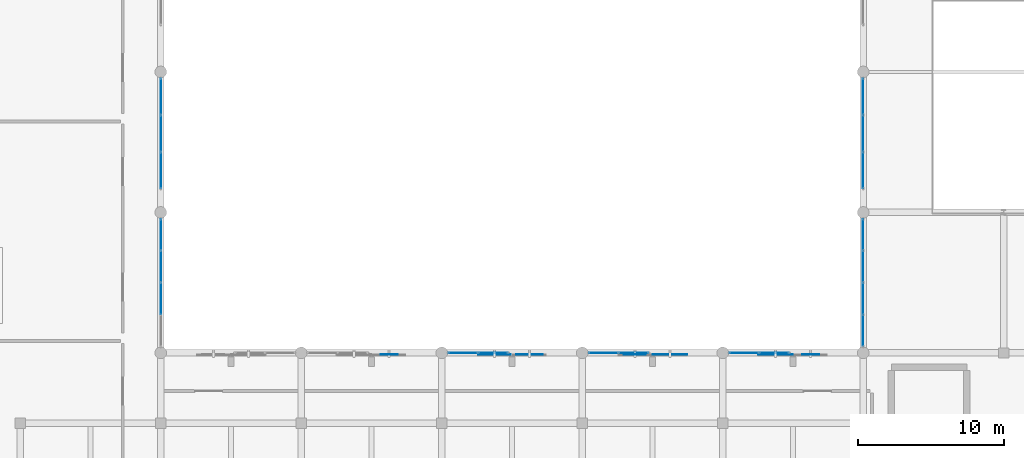
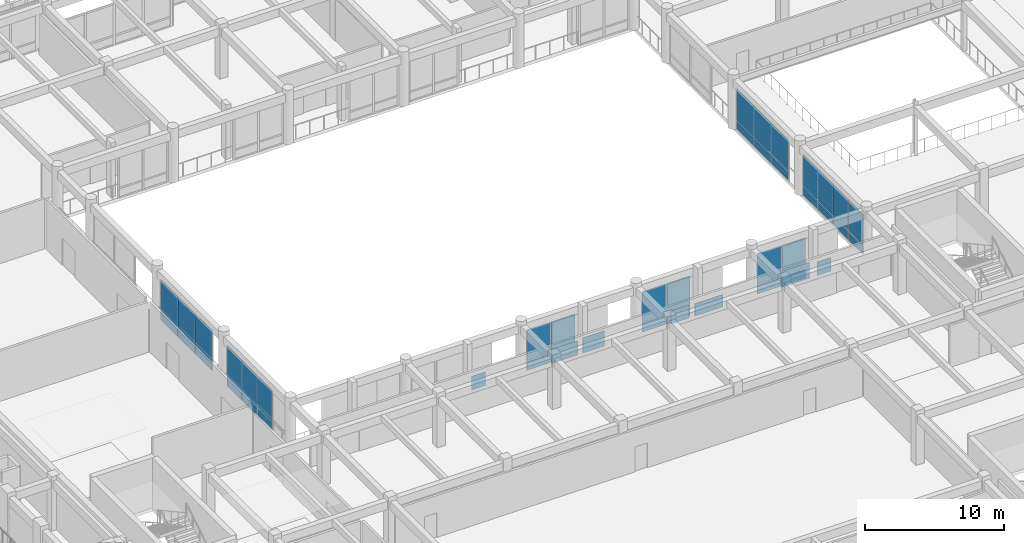
# One storey, part 90 of 133: 45 plates, 7 elements without a shape of their own.
"""IFC4 building model written with IfcOpenShell, lengths in metres."""

from ifc_helpers import new_model, si_unit, direction, frame, origin, origin_2d, place, context, subcontext, project, spatial, rectangle, extrude, material, layer, layer_set, type_object, element, aggregate, save


model = new_model("IFC4")

# Units and contexts
model_context = context("Model", 3, precision=1e-05, world=origin(), true_north=direction((0.0, 1.0)))
body_context = subcontext(model_context, "Body", "Model", "MODEL_VIEW")
ifc_project = project(units=[si_unit("LENGTHUNIT", "METRE"), si_unit("AREAUNIT", "SQUARE_METRE"), si_unit("VOLUMEUNIT", "CUBIC_METRE"), si_unit("PLANEANGLEUNIT", "RADIAN"), si_unit("MASSUNIT", "GRAM", prefix="KILO")], contexts=[model_context])

# Site, building, storey
site_placement = place(None, origin())
site = spatial("IfcSite", under=ifc_project, at=site_placement, CompositionType="ELEMENT")
building_placement = place(site_placement, origin())
building = spatial("IfcBuilding", under=site, at=building_placement, Name="Nakhvara Creek Congress Hotel", CompositionType="ELEMENT")
storey_placement = place(building_placement, frame((0.0, 0.0, 11.39990234375)))
storey = spatial("IfcBuildingStorey", under=building, at=storey_placement, Name="L02", CompositionType="ELEMENT", Elevation=11.39990234375)

# Plates
ifc_material_1 = material(Name="Perforated champagne-bronze anodised aluminium sheet", Category="aluminium")
plate_type_1 = type_object("IfcPlateType", Name="PLT-MSH-120X120", PredefinedType="SHEET", material=ifc_material_1)
for number, where, z_axis, x_axis, name in (
    (1, (92.39990234375, 43.10009765625, 0.02001953125), (0.0, 0.0, 1.0), (1.0, 0.0, 0.0), "Mashrabiya Spandrel Plate 014"),
    (2, (121.199951171875, 43.10009765625, 0.02001953125), (0.0, 0.0, 1.0), (1.0, 0.0, 0.0), "Mashrabiya Spandrel Plate 020"),
):
    element("IfcPlate", number, at=place(storey_placement, frame(where, z_axis=z_axis, x_axis=x_axis)), inside=storey, type_object=plate_type_1, Name=name, PredefinedType="SHEET", context=body_context, shape_type="SweptSolid", body=[
        extrude(rectangle(XDim=1.159912109375, YDim=0.033935546875, at=origin_2d()), origin(), (0.0, 0.0, 1.0), 1.199951171875),
    ])
plate_type_2 = type_object("IfcPlateType", Name="PLT-MSH-150X115", PredefinedType="SHEET", material=ifc_material_1)
plate_1_placement = place(storey_placement, frame((109.199951171875, 43.10009765625, 0.020263671875), z_axis=(0.0, 0.0, 1.0), x_axis=(1.0, 0.0, 0.0)))
element("IfcPlate", 3, at=plate_1_placement, inside=storey, type_object=plate_type_2, Name="Mashrabiya Spandrel Plate 017", PredefinedType="SHEET", context=body_context, shape_type="SweptSolid", body=[
    extrude(rectangle(XDim=1.5, YDim=0.033935546875, at=origin_2d()), origin(), (0.0, 0.0, 1.0), 1.14990234375),
])
plate_type_3 = type_object("IfcPlateType", Name="PLT-MSH-180X135", PredefinedType="SHEET", material=ifc_material_1)
plate_2_placement = place(storey_placement, frame((102.0, 43.10009765625, 0.02001953125), z_axis=(0.0, 0.0, 1.0), x_axis=(1.0, 0.0, 0.0)))
element("IfcPlate", 4, at=plate_2_placement, inside=storey, type_object=plate_type_3, Name="Mashrabiya Spandrel Plate 016", PredefinedType="SHEET", context=body_context, shape_type="SweptSolid", body=[
    extrude(rectangle(XDim=1.800048828125, YDim=0.035888671875, at=origin_2d()), origin(), (0.0, 0.0, 1.0), 1.35009765625),
])
plate_type_4 = type_object("IfcPlateType", Name="PLT-MSH-220X125", PredefinedType="SHEET", material=ifc_material_1)
plate_3_placement = place(storey_placement, frame((99.60009765625, 43.10009765625, 0.02001953125), z_axis=(0.0, 0.0, 1.0), x_axis=(1.0, 0.0, 0.0)))
element("IfcPlate", 5, at=plate_3_placement, inside=storey, type_object=plate_type_4, Name="Mashrabiya Spandrel Plate 015", PredefinedType="SHEET", context=body_context, shape_type="SweptSolid", body=[
    extrude(rectangle(XDim=2.199951171875, YDim=0.035888671875, at=origin_2d()), origin(), (0.0, 0.0, 1.0), 1.25),
])
plate_type_5 = type_object("IfcPlateType", Name="PLT-MSH-240X110", PredefinedType="SHEET", material=ifc_material_1)
plate_4_placement = place(storey_placement, frame((111.60009765625, 43.10009765625, 0.02001953125), z_axis=(0.0, 0.0, 1.0), x_axis=(1.0, 0.0, 0.0)))
element("IfcPlate", 6, at=plate_4_placement, inside=storey, type_object=plate_type_5, Name="Mashrabiya Spandrel Plate 018", PredefinedType="SHEET", context=body_context, shape_type="SweptSolid", body=[
    extrude(rectangle(XDim=2.360107421875, YDim=0.035888671875, at=origin_2d()), origin(), (0.0, 0.0, 1.0), 1.10009765625),
])
plate_type_6 = type_object("IfcPlateType", Name="PLT-MSH-240X140", PredefinedType="SHEET", material=ifc_material_1)
plate_5_placement = place(storey_placement, frame((118.800048828125, 43.10009765625, 0.020263671875), z_axis=(0.0, 0.0, 1.0), x_axis=(1.0, 0.0, 0.0)))
element("IfcPlate", 7, at=plate_5_placement, inside=storey, type_object=plate_type_6, Name="Mashrabiya Spandrel Plate 019", PredefinedType="SHEET", context=body_context, shape_type="SweptSolid", body=[
    extrude(rectangle(XDim=2.360107421875, YDim=0.0380859375, at=origin_2d()), origin(), (0.0, 0.0, 1.0), 1.39990234375),
])

# Curtain wall, plates
ifc_material_2 = material(Name="Bronze-anodised aluminium AW-6063-T6 and double-silver low-E glass", Category="aluminium")
ifc_layer = layer(ifc_material_2, 0.199951171875)
ifc_layer_set = layer_set([ifc_layer], Name="Bronze-anodised aluminium AW-6063-T6 and double-silver low-E glass")
curtain_wall_type = type_object("IfcCurtainWallType", Name="CW-POD-STICK", PredefinedType="NOTDEFINED", material=ifc_layer_set)
curtain_wall_1_placement = place(storey_placement, origin())
curtain_wall_1 = element("IfcCurtainWall", 8, at=curtain_wall_1_placement, inside=storey, type_object=curtain_wall_type, Name="Curtain Wall CW037", PredefinedType="NOTDEFINED")
ifc_material_3 = material(Name="Double-silver solar-control low-E insulated glass", Category="glass")
plate_type_7 = type_object("IfcPlateType", Name="PNL-GLZ-240X260", PredefinedType="CURTAIN_PANEL", material=ifc_material_3)
plate_6_placement = place(storey_placement, frame((97.467529296875, 43.199951171875, 0.065185546875), z_axis=(0.0, 0.0, 1.0), x_axis=(1.0, 0.0, 0.0)))
plate_6 = element("IfcPlate", 9, at=plate_6_placement, type_object=plate_type_7, Name="CW037 panel 1.1", PredefinedType="CURTAIN_PANEL", context=body_context, shape_type="SweptSolid", body=[
    extrude(rectangle(XDim=1.97509765625, YDim=0.030029296875, at=origin_2d()), origin(), (0.0, 0.0, 1.0), 0.75244140625),
])
plate_7_placement = place(storey_placement, frame((97.467529296875, 43.199951171875, 0.8828125), z_axis=(0.0, 0.0, 1.0), x_axis=(1.0, 0.0, 0.0)))
plate_7 = element("IfcPlate", 10, at=plate_7_placement, type_object=plate_type_7, Name="CW037 panel 1.2", PredefinedType="CURTAIN_PANEL", context=body_context, shape_type="SweptSolid", body=[
    extrude(rectangle(XDim=1.97509765625, YDim=0.030029296875, at=origin_2d()), origin(), (0.0, 0.0, 1.0), 2.744384765625),
])
plate_8_placement = place(storey_placement, frame((99.507568359375, 43.199951171875, 0.065185546875), z_axis=(0.0, 0.0, 1.0), x_axis=(1.0, 0.0, 0.0)))
plate_8 = element("IfcPlate", 11, at=plate_8_placement, type_object=plate_type_7, Name="CW037 panel 2.1", PredefinedType="CURTAIN_PANEL", context=body_context, shape_type="SweptSolid", body=[
    extrude(rectangle(XDim=1.97509765625, YDim=0.030029296875, at=origin_2d()), origin(), (0.0, 0.0, 1.0), 0.75244140625),
])
plate_9_placement = place(storey_placement, frame((99.507568359375, 43.199951171875, 0.8828125), z_axis=(0.0, 0.0, 1.0), x_axis=(1.0, 0.0, 0.0)))
plate_9 = element("IfcPlate", 12, at=plate_9_placement, type_object=plate_type_7, Name="CW037 panel 2.2", PredefinedType="CURTAIN_PANEL", context=body_context, shape_type="SweptSolid", body=[
    extrude(rectangle(XDim=1.97509765625, YDim=0.030029296875, at=origin_2d()), origin(), (0.0, 0.0, 1.0), 2.744384765625),
])
aggregate(curtain_wall_1, [plate_6, plate_7, plate_8, plate_9])

curtain_wall_2_placement = place(storey_placement, origin())
curtain_wall_2 = element("IfcCurtainWall", 13, at=curtain_wall_2_placement, inside=storey, type_object=curtain_wall_type, Name="Curtain Wall CW039", PredefinedType="NOTDEFINED")
plate_10_placement = place(storey_placement, frame((107.0673828125, 43.199951171875, 0.065185546875), z_axis=(0.0, 0.0, 1.0), x_axis=(1.0, 0.0, 0.0)))
plate_10 = element("IfcPlate", 14, at=plate_10_placement, type_object=plate_type_7, Name="CW039 panel 1.1", PredefinedType="CURTAIN_PANEL", context=body_context, shape_type="SweptSolid", body=[
    extrude(rectangle(XDim=1.97509765625, YDim=0.030029296875, at=origin_2d()), origin(), (0.0, 0.0, 1.0), 0.75244140625),
])
plate_11_placement = place(storey_placement, frame((107.0673828125, 43.199951171875, 0.8828125), z_axis=(0.0, 0.0, 1.0), x_axis=(1.0, 0.0, 0.0)))
plate_11 = element("IfcPlate", 15, at=plate_11_placement, type_object=plate_type_7, Name="CW039 panel 1.2", PredefinedType="CURTAIN_PANEL", context=body_context, shape_type="SweptSolid", body=[
    extrude(rectangle(XDim=1.97509765625, YDim=0.030029296875, at=origin_2d()), origin(), (0.0, 0.0, 1.0), 2.744384765625),
])
plate_12_placement = place(storey_placement, frame((109.107421875, 43.199951171875, 0.065185546875), z_axis=(0.0, 0.0, 1.0), x_axis=(1.0, 0.0, 0.0)))
plate_12 = element("IfcPlate", 16, at=plate_12_placement, type_object=plate_type_7, Name="CW039 panel 2.1", PredefinedType="CURTAIN_PANEL", context=body_context, shape_type="SweptSolid", body=[
    extrude(rectangle(XDim=1.97509765625, YDim=0.030029296875, at=origin_2d()), origin(), (0.0, 0.0, 1.0), 0.75244140625),
])
plate_13_placement = place(storey_placement, frame((109.107421875, 43.199951171875, 0.8828125), z_axis=(0.0, 0.0, 1.0), x_axis=(1.0, 0.0, 0.0)))
plate_13 = element("IfcPlate", 17, at=plate_13_placement, type_object=plate_type_7, Name="CW039 panel 2.2", PredefinedType="CURTAIN_PANEL", context=body_context, shape_type="SweptSolid", body=[
    extrude(rectangle(XDim=1.97509765625, YDim=0.030029296875, at=origin_2d()), origin(), (0.0, 0.0, 1.0), 2.744384765625),
])
aggregate(curtain_wall_2, [plate_10, plate_11, plate_12, plate_13])

curtain_wall_3_placement = place(storey_placement, origin())
curtain_wall_3 = element("IfcCurtainWall", 18, at=curtain_wall_3_placement, inside=storey, type_object=curtain_wall_type, Name="Curtain Wall CW041", PredefinedType="NOTDEFINED")
plate_14_placement = place(storey_placement, frame((116.66748046875, 43.199951171875, 0.065185546875), z_axis=(0.0, 0.0, 1.0), x_axis=(1.0, 0.0, 0.0)))
plate_14 = element("IfcPlate", 19, at=plate_14_placement, type_object=plate_type_7, Name="CW041 panel 1.1", PredefinedType="CURTAIN_PANEL", context=body_context, shape_type="SweptSolid", body=[
    extrude(rectangle(XDim=1.97509765625, YDim=0.030029296875, at=origin_2d()), origin(), (0.0, 0.0, 1.0), 0.75244140625),
])
plate_15_placement = place(storey_placement, frame((116.66748046875, 43.199951171875, 0.8828125), z_axis=(0.0, 0.0, 1.0), x_axis=(1.0, 0.0, 0.0)))
plate_15 = element("IfcPlate", 20, at=plate_15_placement, type_object=plate_type_7, Name="CW041 panel 1.2", PredefinedType="CURTAIN_PANEL", context=body_context, shape_type="SweptSolid", body=[
    extrude(rectangle(XDim=1.97509765625, YDim=0.030029296875, at=origin_2d()), origin(), (0.0, 0.0, 1.0), 2.744384765625),
])
plate_16_placement = place(storey_placement, frame((118.70751953125, 43.199951171875, 0.065185546875), z_axis=(0.0, 0.0, 1.0), x_axis=(1.0, 0.0, 0.0)))
plate_16 = element("IfcPlate", 21, at=plate_16_placement, type_object=plate_type_7, Name="CW041 panel 2.1", PredefinedType="CURTAIN_PANEL", context=body_context, shape_type="SweptSolid", body=[
    extrude(rectangle(XDim=1.97509765625, YDim=0.030029296875, at=origin_2d()), origin(), (0.0, 0.0, 1.0), 0.75244140625),
])
plate_17_placement = place(storey_placement, frame((118.70751953125, 43.199951171875, 0.8828125), z_axis=(0.0, 0.0, 1.0), x_axis=(1.0, 0.0, 0.0)))
plate_17 = element("IfcPlate", 22, at=plate_17_placement, type_object=plate_type_7, Name="CW041 panel 2.2", PredefinedType="CURTAIN_PANEL", context=body_context, shape_type="SweptSolid", body=[
    extrude(rectangle(XDim=1.97509765625, YDim=0.030029296875, at=origin_2d()), origin(), (0.0, 0.0, 1.0), 2.744384765625),
])
aggregate(curtain_wall_3, [plate_14, plate_15, plate_16, plate_17])

curtain_wall_4_placement = place(storey_placement, origin())
curtain_wall_4 = element("IfcCurtainWall", 23, at=curtain_wall_4_placement, inside=storey, type_object=curtain_wall_type, Name="Curtain Wall CW043", PredefinedType="NOTDEFINED")
plate_18_placement = place(storey_placement, frame((76.800048828125, 51.2724609375, 0.065185546875), z_axis=(0.0, 0.0, 1.0), x_axis=(0.0, -1.0, 0.0)))
plate_18 = element("IfcPlate", 24, at=plate_18_placement, type_object=plate_type_7, Name="CW043 panel 1.1", PredefinedType="CURTAIN_PANEL", context=body_context, shape_type="SweptSolid", body=[
    extrude(rectangle(XDim=2.094970703125, YDim=0.030029296875, at=origin_2d()), origin(), (0.0, 0.0, 1.0), 0.75244140625),
])
plate_19_placement = place(storey_placement, frame((76.800048828125, 51.2724609375, 0.8828125), z_axis=(0.0, 0.0, 1.0), x_axis=(0.0, -1.0, 0.0)))
plate_19 = element("IfcPlate", 25, at=plate_19_placement, type_object=plate_type_7, Name="CW043 panel 1.2", PredefinedType="CURTAIN_PANEL", context=body_context, shape_type="SweptSolid", body=[
    extrude(rectangle(XDim=2.094970703125, YDim=0.030029296875, at=origin_2d()), origin(), (0.0, 0.0, 1.0), 2.744384765625),
])
plate_20_placement = place(storey_placement, frame((76.800048828125, 49.09619140625, 0.065185546875), z_axis=(0.0, 0.0, 1.0), x_axis=(0.0, -1.0, 0.0)))
plate_20 = element("IfcPlate", 26, at=plate_20_placement, type_object=plate_type_7, Name="CW043 panel 2.1", PredefinedType="CURTAIN_PANEL", context=body_context, shape_type="SweptSolid", body=[
    extrude(rectangle(XDim=2.12744140625, YDim=0.030029296875, at=origin_2d()), origin(), (0.0, 0.0, 1.0), 0.75244140625),
])
plate_21_placement = place(storey_placement, frame((76.800048828125, 49.09619140625, 0.8828125), z_axis=(0.0, 0.0, 1.0), x_axis=(0.0, -1.0, 0.0)))
plate_21 = element("IfcPlate", 27, at=plate_21_placement, type_object=plate_type_7, Name="CW043 panel 2.2", PredefinedType="CURTAIN_PANEL", context=body_context, shape_type="SweptSolid", body=[
    extrude(rectangle(XDim=2.12744140625, YDim=0.030029296875, at=origin_2d()), origin(), (0.0, 0.0, 1.0), 2.744384765625),
])
plate_22_placement = place(storey_placement, frame((76.800048828125, 46.90380859375, 0.065185546875), z_axis=(0.0, 0.0, 1.0), x_axis=(0.0, -1.0, 0.0)))
plate_22 = element("IfcPlate", 28, at=plate_22_placement, type_object=plate_type_7, Name="CW043 panel 3.1", PredefinedType="CURTAIN_PANEL", context=body_context, shape_type="SweptSolid", body=[
    extrude(rectangle(XDim=2.12744140625, YDim=0.030029296875, at=origin_2d()), origin(), (0.0, 0.0, 1.0), 0.75244140625),
])
plate_23_placement = place(storey_placement, frame((76.800048828125, 46.90380859375, 0.8828125), z_axis=(0.0, 0.0, 1.0), x_axis=(0.0, -1.0, 0.0)))
plate_23 = element("IfcPlate", 29, at=plate_23_placement, type_object=plate_type_7, Name="CW043 panel 3.2", PredefinedType="CURTAIN_PANEL", context=body_context, shape_type="SweptSolid", body=[
    extrude(rectangle(XDim=2.12744140625, YDim=0.030029296875, at=origin_2d()), origin(), (0.0, 0.0, 1.0), 2.744384765625),
])
aggregate(curtain_wall_4, [plate_18, plate_19, plate_20, plate_21, plate_22, plate_23])

curtain_wall_5_placement = place(storey_placement, origin())
curtain_wall_5 = element("IfcCurtainWall", 30, at=curtain_wall_5_placement, inside=storey, type_object=curtain_wall_type, Name="Curtain Wall CW044", PredefinedType="NOTDEFINED")
plate_24_placement = place(storey_placement, frame((124.800048828125, 44.7275390625, 0.065185546875), z_axis=(0.0, 0.0, 1.0), x_axis=(0.0, 1.0, 0.0)))
plate_24 = element("IfcPlate", 31, at=plate_24_placement, type_object=plate_type_7, Name="CW044 panel 1.1", PredefinedType="CURTAIN_PANEL", context=body_context, shape_type="SweptSolid", body=[
    extrude(rectangle(XDim=2.094970703125, YDim=0.030029296875, at=origin_2d()), origin(), (0.0, 0.0, 1.0), 0.75244140625),
])
plate_25_placement = place(storey_placement, frame((124.800048828125, 44.7275390625, 0.8828125), z_axis=(0.0, 0.0, 1.0), x_axis=(0.0, 1.0, 0.0)))
plate_25 = element("IfcPlate", 32, at=plate_25_placement, type_object=plate_type_7, Name="CW044 panel 1.2", PredefinedType="CURTAIN_PANEL", context=body_context, shape_type="SweptSolid", body=[
    extrude(rectangle(XDim=2.094970703125, YDim=0.030029296875, at=origin_2d()), origin(), (0.0, 0.0, 1.0), 2.744384765625),
])
plate_26_placement = place(storey_placement, frame((124.800048828125, 46.90380859375, 0.065185546875), z_axis=(0.0, 0.0, 1.0), x_axis=(0.0, 1.0, 0.0)))
plate_26 = element("IfcPlate", 33, at=plate_26_placement, type_object=plate_type_7, Name="CW044 panel 2.1", PredefinedType="CURTAIN_PANEL", context=body_context, shape_type="SweptSolid", body=[
    extrude(rectangle(XDim=2.12744140625, YDim=0.030029296875, at=origin_2d()), origin(), (0.0, 0.0, 1.0), 0.75244140625),
])
plate_27_placement = place(storey_placement, frame((124.800048828125, 46.90380859375, 0.8828125), z_axis=(0.0, 0.0, 1.0), x_axis=(0.0, 1.0, 0.0)))
plate_27 = element("IfcPlate", 34, at=plate_27_placement, type_object=plate_type_7, Name="CW044 panel 2.2", PredefinedType="CURTAIN_PANEL", context=body_context, shape_type="SweptSolid", body=[
    extrude(rectangle(XDim=2.12744140625, YDim=0.030029296875, at=origin_2d()), origin(), (0.0, 0.0, 1.0), 2.744384765625),
])
plate_28_placement = place(storey_placement, frame((124.800048828125, 49.09619140625, 0.065185546875), z_axis=(0.0, 0.0, 1.0), x_axis=(0.0, 1.0, 0.0)))
plate_28 = element("IfcPlate", 35, at=plate_28_placement, type_object=plate_type_7, Name="CW044 panel 3.1", PredefinedType="CURTAIN_PANEL", context=body_context, shape_type="SweptSolid", body=[
    extrude(rectangle(XDim=2.12744140625, YDim=0.030029296875, at=origin_2d()), origin(), (0.0, 0.0, 1.0), 0.75244140625),
])
plate_29_placement = place(storey_placement, frame((124.800048828125, 49.09619140625, 0.8828125), z_axis=(0.0, 0.0, 1.0), x_axis=(0.0, 1.0, 0.0)))
plate_29 = element("IfcPlate", 36, at=plate_29_placement, type_object=plate_type_7, Name="CW044 panel 3.2", PredefinedType="CURTAIN_PANEL", context=body_context, shape_type="SweptSolid", body=[
    extrude(rectangle(XDim=2.12744140625, YDim=0.030029296875, at=origin_2d()), origin(), (0.0, 0.0, 1.0), 2.744384765625),
])
plate_30_placement = place(storey_placement, frame((124.800048828125, 51.2724609375, 0.065185546875), z_axis=(0.0, 0.0, 1.0), x_axis=(0.0, 1.0, 0.0)))
plate_30 = element("IfcPlate", 37, at=plate_30_placement, type_object=plate_type_7, Name="CW044 panel 4.1", PredefinedType="CURTAIN_PANEL", context=body_context, shape_type="SweptSolid", body=[
    extrude(rectangle(XDim=2.094970703125, YDim=0.030029296875, at=origin_2d()), origin(), (0.0, 0.0, 1.0), 0.75244140625),
])
plate_31_placement = place(storey_placement, frame((124.800048828125, 51.2724609375, 0.8828125), z_axis=(0.0, 0.0, 1.0), x_axis=(0.0, 1.0, 0.0)))
plate_31 = element("IfcPlate", 38, at=plate_31_placement, type_object=plate_type_7, Name="CW044 panel 4.2", PredefinedType="CURTAIN_PANEL", context=body_context, shape_type="SweptSolid", body=[
    extrude(rectangle(XDim=2.094970703125, YDim=0.030029296875, at=origin_2d()), origin(), (0.0, 0.0, 1.0), 2.744384765625),
])
aggregate(curtain_wall_5, [plate_24, plate_25, plate_26, plate_27, plate_28, plate_29, plate_30, plate_31])

curtain_wall_6_placement = place(storey_placement, origin())
curtain_wall_6 = element("IfcCurtainWall", 39, at=curtain_wall_6_placement, inside=storey, type_object=curtain_wall_type, Name="Curtain Wall CW045", PredefinedType="NOTDEFINED")
plate_32_placement = place(storey_placement, frame((76.800048828125, 60.70458984375, 0.065185546875), z_axis=(0.0, 0.0, 1.0), x_axis=(0.0, -1.0, 0.0)))
plate_32 = element("IfcPlate", 40, at=plate_32_placement, type_object=plate_type_7, Name="CW045 panel 1.1", PredefinedType="CURTAIN_PANEL", context=body_context, shape_type="SweptSolid", body=[
    extrude(rectangle(XDim=2.430908203125, YDim=0.030029296875, at=origin_2d()), origin(), (0.0, 0.0, 1.0), 0.75244140625),
])
plate_33_placement = place(storey_placement, frame((76.800048828125, 60.70458984375, 0.8828125), z_axis=(0.0, 0.0, 1.0), x_axis=(0.0, -1.0, 0.0)))
plate_33 = element("IfcPlate", 41, at=plate_33_placement, type_object=plate_type_7, Name="CW045 panel 1.2", PredefinedType="CURTAIN_PANEL", context=body_context, shape_type="SweptSolid", body=[
    extrude(rectangle(XDim=2.430908203125, YDim=0.030029296875, at=origin_2d()), origin(), (0.0, 0.0, 1.0), 2.744384765625),
])
plate_34_placement = place(storey_placement, frame((76.800048828125, 58.1923828125, 0.065185546875), z_axis=(0.0, 0.0, 1.0), x_axis=(0.0, -1.0, 0.0)))
plate_34 = element("IfcPlate", 42, at=plate_34_placement, type_object=plate_type_7, Name="CW045 panel 2.1", PredefinedType="CURTAIN_PANEL", context=body_context, shape_type="SweptSolid", body=[
    extrude(rectangle(XDim=2.46337890625, YDim=0.030029296875, at=origin_2d()), origin(), (0.0, 0.0, 1.0), 0.75244140625),
])
plate_35_placement = place(storey_placement, frame((76.800048828125, 58.1923828125, 0.8828125), z_axis=(0.0, 0.0, 1.0), x_axis=(0.0, -1.0, 0.0)))
plate_35 = element("IfcPlate", 43, at=plate_35_placement, type_object=plate_type_7, Name="CW045 panel 2.2", PredefinedType="CURTAIN_PANEL", context=body_context, shape_type="SweptSolid", body=[
    extrude(rectangle(XDim=2.46337890625, YDim=0.030029296875, at=origin_2d()), origin(), (0.0, 0.0, 1.0), 2.744384765625),
])
plate_36_placement = place(storey_placement, frame((76.800048828125, 55.680419921875, 0.065185546875), z_axis=(0.0, 0.0, 1.0), x_axis=(0.0, -1.0, 0.0)))
plate_36 = element("IfcPlate", 44, at=plate_36_placement, type_object=plate_type_7, Name="CW045 panel 3.1", PredefinedType="CURTAIN_PANEL", context=body_context, shape_type="SweptSolid", body=[
    extrude(rectangle(XDim=2.430908203125, YDim=0.030029296875, at=origin_2d()), origin(), (0.0, 0.0, 1.0), 0.75244140625),
])
plate_37_placement = place(storey_placement, frame((76.800048828125, 55.680419921875, 0.8828125), z_axis=(0.0, 0.0, 1.0), x_axis=(0.0, -1.0, 0.0)))
plate_37 = element("IfcPlate", 45, at=plate_37_placement, type_object=plate_type_7, Name="CW045 panel 3.2", PredefinedType="CURTAIN_PANEL", context=body_context, shape_type="SweptSolid", body=[
    extrude(rectangle(XDim=2.430908203125, YDim=0.030029296875, at=origin_2d()), origin(), (0.0, 0.0, 1.0), 2.744384765625),
])
aggregate(curtain_wall_6, [plate_32, plate_33, plate_34, plate_35, plate_36, plate_37])

curtain_wall_7_placement = place(storey_placement, origin())
curtain_wall_7 = element("IfcCurtainWall", 46, at=curtain_wall_7_placement, inside=storey, type_object=curtain_wall_type, Name="Curtain Wall CW046", PredefinedType="NOTDEFINED")
plate_38_placement = place(storey_placement, frame((124.800048828125, 55.680419921875, 0.065185546875), z_axis=(0.0, 0.0, 1.0), x_axis=(0.0, 1.0, 0.0)))
plate_38 = element("IfcPlate", 47, at=plate_38_placement, type_object=plate_type_7, Name="CW046 panel 1.1", PredefinedType="CURTAIN_PANEL", context=body_context, shape_type="SweptSolid", body=[
    extrude(rectangle(XDim=2.430908203125, YDim=0.030029296875, at=origin_2d()), origin(), (0.0, 0.0, 1.0), 0.75244140625),
])
plate_39_placement = place(storey_placement, frame((124.800048828125, 55.680419921875, 0.8828125), z_axis=(0.0, 0.0, 1.0), x_axis=(0.0, 1.0, 0.0)))
plate_39 = element("IfcPlate", 48, at=plate_39_placement, type_object=plate_type_7, Name="CW046 panel 1.2", PredefinedType="CURTAIN_PANEL", context=body_context, shape_type="SweptSolid", body=[
    extrude(rectangle(XDim=2.430908203125, YDim=0.030029296875, at=origin_2d()), origin(), (0.0, 0.0, 1.0), 2.744384765625),
])
plate_40_placement = place(storey_placement, frame((124.800048828125, 58.1923828125, 0.065185546875), z_axis=(0.0, 0.0, 1.0), x_axis=(0.0, 1.0, 0.0)))
plate_40 = element("IfcPlate", 49, at=plate_40_placement, type_object=plate_type_7, Name="CW046 panel 2.1", PredefinedType="CURTAIN_PANEL", context=body_context, shape_type="SweptSolid", body=[
    extrude(rectangle(XDim=2.46337890625, YDim=0.030029296875, at=origin_2d()), origin(), (0.0, 0.0, 1.0), 0.75244140625),
])
plate_41_placement = place(storey_placement, frame((124.800048828125, 58.1923828125, 0.8828125), z_axis=(0.0, 0.0, 1.0), x_axis=(0.0, 1.0, 0.0)))
plate_41 = element("IfcPlate", 50, at=plate_41_placement, type_object=plate_type_7, Name="CW046 panel 2.2", PredefinedType="CURTAIN_PANEL", context=body_context, shape_type="SweptSolid", body=[
    extrude(rectangle(XDim=2.46337890625, YDim=0.030029296875, at=origin_2d()), origin(), (0.0, 0.0, 1.0), 2.744384765625),
])
plate_42_placement = place(storey_placement, frame((124.800048828125, 60.70458984375, 0.065185546875), z_axis=(0.0, 0.0, 1.0), x_axis=(0.0, 1.0, 0.0)))
plate_42 = element("IfcPlate", 51, at=plate_42_placement, type_object=plate_type_7, Name="CW046 panel 3.1", PredefinedType="CURTAIN_PANEL", context=body_context, shape_type="SweptSolid", body=[
    extrude(rectangle(XDim=2.430908203125, YDim=0.030029296875, at=origin_2d()), origin(), (0.0, 0.0, 1.0), 0.75244140625),
])
plate_43_placement = place(storey_placement, frame((124.800048828125, 60.70458984375, 0.8828125), z_axis=(0.0, 0.0, 1.0), x_axis=(0.0, 1.0, 0.0)))
plate_43 = element("IfcPlate", 52, at=plate_43_placement, type_object=plate_type_7, Name="CW046 panel 3.2", PredefinedType="CURTAIN_PANEL", context=body_context, shape_type="SweptSolid", body=[
    extrude(rectangle(XDim=2.430908203125, YDim=0.030029296875, at=origin_2d()), origin(), (0.0, 0.0, 1.0), 2.744384765625),
])
aggregate(curtain_wall_7, [plate_38, plate_39, plate_40, plate_41, plate_42, plate_43])

save(model, "model.ifc")
